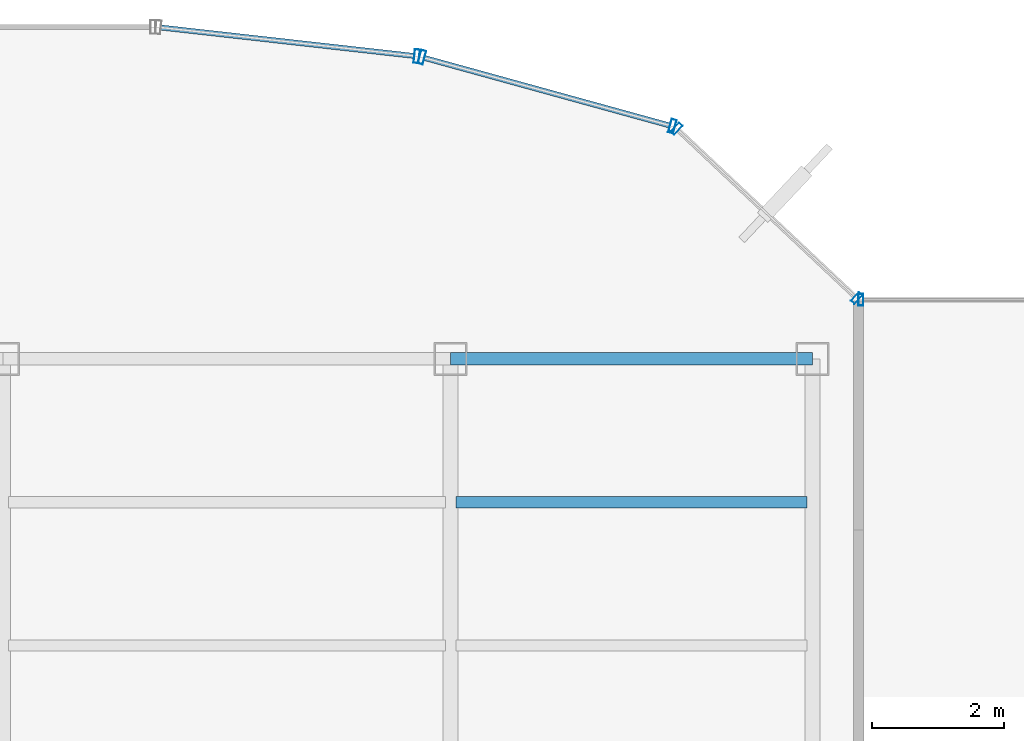
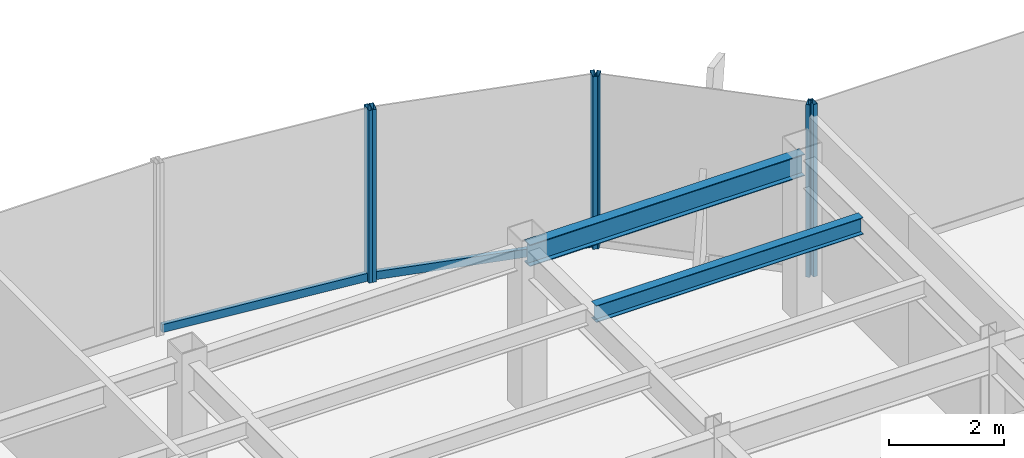
# One storey, part 14 of 22: 8 members, 2 beams, 4 elements without a shape of their own.
"""IFC4 building model written with IfcOpenShell, lengths in metres."""

from ifc_helpers import new_model, si_unit, derived_unit, direction, frame, origin, origin_2d, place, context, subcontext, project, spatial, hollow_rectangle, i_section, extrude, source, transform, mapped, material, material_profile, profile_set, type_object, element, aggregate, save


model = new_model("IFC4")

# Units and contexts
model_context = context("Model", 3, precision=1e-05, world=origin(), true_north=direction((0.0, 1.0)))
body_context = subcontext(model_context, "Body", "Model", "MODEL_VIEW")
ifc_project = project(units=[si_unit("LENGTHUNIT", "METRE"), si_unit("AREAUNIT", "SQUARE_METRE"), si_unit("VOLUMEUNIT", "CUBIC_METRE"), si_unit("PLANEANGLEUNIT", "RADIAN"), si_unit("MASSUNIT", "GRAM", prefix="KILO"), derived_unit("THERMALTRANSMITTANCEUNIT", [(si_unit("POWERUNIT", "WATT"), 1), (si_unit("LENGTHUNIT", "METRE"), -2), (si_unit("THERMODYNAMICTEMPERATUREUNIT", "KELVIN"), -1)])], contexts=[model_context])

# Site, building, storey
site_placement = place(None, origin())
site = spatial("IfcSite", under=ifc_project, at=site_placement, CompositionType="ELEMENT")
building_placement = place(site_placement, origin())
building = spatial("IfcBuilding", under=site, at=building_placement, Name="Skarnbrae Concourse Arena and Tower", CompositionType="ELEMENT")
storey_placement = place(building_placement, frame((0.0, 0.0, 210.5)))
storey = spatial("IfcBuildingStorey", under=building, at=storey_placement, Name="L54", CompositionType="ELEMENT", Elevation=210.5)

# Beams
ifc_material_1 = material(Name="Steel CSA G40.21 350W", Category="steel")
ifc_material_profile_1 = material_profile(ifc_material_1, i_section(OverallWidth=0.19091796875, OverallDepth=0.4599609375, WebThickness=0.010009765625, FlangeThickness=0.01611328125, at=origin_2d()), Name="W460X82")
ifc_profile_set_1 = profile_set([ifc_material_profile_1], Name="Steel CSA G40.21 350W")
beam_type_1 = type_object("IfcBeamType", Name="BM-SPAN-W460X82", PredefinedType="SPANDREL", material=ifc_profile_set_1)
shared_shape_1 = source(origin(), body_context, "Body", "SweptSolid", [
    extrude(i_section(OverallWidth=0.19091796875, OverallDepth=0.4599609375, WebThickness=0.010009765625, FlangeThickness=0.01611328125, at=origin_2d()), origin(), (0.0, 0.0, 1.0), 5.5),
])
beam_1_placement = place(storey_placement, frame((28.0, 34.39990234375, 3.169921875), z_axis=(1.0, 0.0, 0.0), x_axis=(0.0, 1.0, 0.0)))
element("IfcBeam", 1, at=beam_1_placement, inside=storey, type_object=beam_type_1, Name="L54 Perimeter spandrel Y34.4-4", PredefinedType="SPANDREL", context=body_context, shape_type="MappedRepresentation", body=[
    mapped(shared_shape_1, transform((0.0, 0.0, 0.0))),
])
ifc_material_profile_2 = material_profile(ifc_material_1, i_section(OverallWidth=0.1708984375, OverallDepth=0.35498046875, WebThickness=0.007080078125, FlangeThickness=0.01171875, at=origin_2d()), Name="W360X51")
ifc_profile_set_2 = profile_set([ifc_material_profile_2], Name="Steel CSA G40.21 350W")
beam_type_2 = type_object("IfcBeamType", Name="BM-JOIST-W360X51", PredefinedType="JOIST", material=ifc_profile_set_2)
shared_shape_2 = source(origin(), body_context, "Body", "SweptSolid", [
    extrude(i_section(OverallWidth=0.1708984375, OverallDepth=0.35498046875, WebThickness=0.007080078125, FlangeThickness=0.01171875, at=origin_2d()), origin(), (0.0, 0.0, 1.0), 5.33984375),
])
beam_2_placement = place(storey_placement, frame((28.080078125, 32.221923828125, 3.222412109375), z_axis=(1.0, 0.0, 0.0), x_axis=(0.0, 1.0, 0.0)))
element("IfcBeam", 2, at=beam_2_placement, inside=storey, type_object=beam_type_2, Name="L54 Secondary floor joist 3.2.4", PredefinedType="JOIST", context=body_context, shape_type="MappedRepresentation", body=[
    mapped(shared_shape_2, transform((0.0, 0.0, 0.0))),
])

# Curtain wall, members
ifc_material_2 = material(Name="Bronze anodised aluminium 6063-T6", Category="aluminium")
curtain_wall_type_1 = type_object("IfcCurtainWallType", Name="CW-SYS-03-PORTAL", PredefinedType="USERDEFINED", material=ifc_material_2)
curtain_wall_1_placement = place(storey_placement, origin())
curtain_wall_1 = element("IfcCurtainWall", 3, at=curtain_wall_1_placement, inside=storey, type_object=curtain_wall_type_1, Name="L54 Unitised curtain wall CW-L54-E09", ObjectType="UNITISED CURTAIN WALL", PredefinedType="USERDEFINED")
ifc_material_profile_3 = material_profile(ifc_material_2, hollow_rectangle(XDim=0.080078125, YDim=0.2099609375, WallThickness=0.00439453125, at=origin_2d()), Name="ALU-MULL-80X210")
ifc_profile_set_3 = profile_set([ifc_material_profile_3], Name="Bronze anodised aluminium 6063-T6")
member_type_1 = type_object("IfcMemberType", Name="CWM-CW-03", PredefinedType="MULLION", material=ifc_profile_set_3)
shared_shape_3 = source(origin(), body_context, "Body", "SweptSolid", [
    extrude(hollow_rectangle(XDim=0.080078125, YDim=0.2099609375, WallThickness=0.00439453125, at=origin_2d()), origin(), (0.0, 0.0, 1.0), 3.64990234375),
])
member_1_placement = place(storey_placement, frame((31.37109375, 37.937255859375, 0.0), z_axis=(0.0, 0.0, 1.0), x_axis=(-0.964057388766, 0.265694093207, 0.0)))
member_1 = element("IfcMember", 4, at=member_1_placement, type_object=member_type_1, Name="CW-L54-E09 Mullion 1", PredefinedType="MULLION", context=body_context, shape_type="MappedRepresentation", body=[
    mapped(shared_shape_3, transform((0.0, 0.0, 0.0))),
])
member_2_placement = place(storey_placement, frame((27.564453125, 38.986572265625, 0.0), z_axis=(0.0, 0.0, 1.0), x_axis=(-0.964057388766, 0.265694093207, 0.0)))
member_2 = element("IfcMember", 5, at=member_2_placement, type_object=member_type_1, Name="CW-L54-E09 Mullion 2", PredefinedType="MULLION", context=body_context, shape_type="MappedRepresentation", body=[
    mapped(shared_shape_3, transform((0.0, 0.0, 0.0))),
])

# Curtain wall, member
curtain_wall_2_placement = place(storey_placement, origin())
curtain_wall_2 = element("IfcCurtainWall", 6, at=curtain_wall_2_placement, inside=storey, type_object=curtain_wall_type_1, Name="L54 Unitised curtain wall CW-L54-E10", ObjectType="UNITISED CURTAIN WALL", PredefinedType="USERDEFINED")
member_3_placement = place(storey_placement, frame((27.486083984375, 39.001708984375, 0.0), z_axis=(0.0, 0.0, 1.0), x_axis=(-0.993768891873, 0.111460259941, 0.0)))
member_3 = element("IfcMember", 7, at=member_3_placement, type_object=member_type_1, Name="CW-L54-E10 Mullion 1", PredefinedType="MULLION", context=body_context, shape_type="MappedRepresentation", body=[
    mapped(shared_shape_3, transform((0.0, 0.0, 0.0))),
])

curtain_wall_type_2 = type_object("IfcCurtainWallType", Name="CW-SYS-05-HIGHZONE", PredefinedType="USERDEFINED", material=ifc_material_2)
curtain_wall_3_placement = place(storey_placement, origin())
curtain_wall_3 = element("IfcCurtainWall", 8, at=curtain_wall_3_placement, inside=storey, type_object=curtain_wall_type_2, Name="L54 Unitised curtain wall CW-L54-E07", ObjectType="UNITISED CURTAIN WALL", PredefinedType="USERDEFINED")
ifc_material_profile_4 = material_profile(ifc_material_2, hollow_rectangle(XDim=0.074951171875, YDim=0.179931640625, WallThickness=0.00390625, at=origin_2d()), Name="ALU-MULL-75X180")
ifc_profile_set_4 = profile_set([ifc_material_profile_4], Name="Bronze anodised aluminium 6063-T6")
member_type_2 = type_object("IfcMemberType", Name="CWM-CW-05", PredefinedType="MULLION", material=ifc_profile_set_4)
shared_shape_4 = source(origin(), body_context, "Body", "SweptSolid", [
    extrude(hollow_rectangle(XDim=0.074951171875, YDim=0.179931640625, WallThickness=0.00390625, at=origin_2d()), origin(), (0.0, 0.0, 1.0), 3.64990234375),
])
member_4_placement = place(storey_placement, frame((34.237548828125, 35.300048828125, 0.0), z_axis=(0.0, 0.0, 1.0), x_axis=(-1.0, 0.0, 0.0)))
member_4 = element("IfcMember", 9, at=member_4_placement, type_object=member_type_2, Name="CW-L54-E07 Mullion 2", PredefinedType="MULLION", context=body_context, shape_type="MappedRepresentation", body=[
    mapped(shared_shape_4, transform((0.0, 0.0, 0.0))),
])
aggregate(curtain_wall_3, [member_4])

# Curtain wall, members
curtain_wall_4_placement = place(storey_placement, origin())
curtain_wall_4 = element("IfcCurtainWall", 10, at=curtain_wall_4_placement, inside=storey, type_object=curtain_wall_type_2, Name="L54 Unitised curtain wall CW-L54-E08", ObjectType="UNITISED CURTAIN WALL", PredefinedType="USERDEFINED")
member_5_placement = place(storey_placement, frame((34.172607421875, 35.32568359375, 0.0), z_axis=(0.0, 0.0, 1.0), x_axis=(-0.728130555214, 0.685438468838, 0.0)))
member_5 = element("IfcMember", 11, at=member_5_placement, type_object=member_type_2, Name="CW-L54-E08 Mullion 1", PredefinedType="MULLION", context=body_context, shape_type="MappedRepresentation", body=[
    mapped(shared_shape_4, transform((0.0, 0.0, 0.0))),
])
member_6_placement = place(storey_placement, frame((31.43701171875, 37.90087890625, 0.0), z_axis=(0.0, 0.0, 1.0), x_axis=(-0.728130555214, 0.685438468838, 0.0)))
member_6 = element("IfcMember", 12, at=member_6_placement, type_object=member_type_2, Name="CW-L54-E08 Mullion 2", PredefinedType="MULLION", context=body_context, shape_type="MappedRepresentation", body=[
    mapped(shared_shape_4, transform((0.0, 0.0, 0.0))),
])
aggregate(curtain_wall_4, [member_5, member_6])

# Member
ifc_material_profile_5 = material_profile(ifc_material_2, hollow_rectangle(XDim=0.080078125, YDim=0.169921875, WallThickness=0.00439453125, at=origin_2d()), Name="ALU-TRAN-80X170")
ifc_profile_set_5 = profile_set([ifc_material_profile_5], Name="Bronze anodised aluminium 6063-T6")
member_type_3 = type_object("IfcMemberType", Name="CWT-CW-03", PredefinedType="USERDEFINED", material=ifc_profile_set_5)
shared_shape_5 = source(origin(), body_context, "Body", "SweptSolid", [
    extrude(hollow_rectangle(XDim=0.080078125, YDim=0.169921875, WallThickness=0.00439453125, at=origin_2d()), origin(), (0.0, 0.0, 1.0), 3.86865234375),
])
member_7_placement = place(storey_placement, frame((31.33251953125, 37.947998046875, 0.0849609375), z_axis=(-0.964062872218, 0.265674195983, 0.0), x_axis=(-0.265674195983, -0.964062872218, 0.0)))
member_7 = element("IfcMember", 13, at=member_7_placement, type_object=member_type_3, Name="CW-L54-E09 Transom 1", ObjectType="TRANSOM", PredefinedType="USERDEFINED", context=body_context, shape_type="MappedRepresentation", body=[
    mapped(shared_shape_5, transform((0.0, 0.0, 0.0))),
])

aggregate(curtain_wall_1, [member_1, member_2, member_7])

shared_shape_6 = source(origin(), body_context, "Body", "SweptSolid", [
    extrude(hollow_rectangle(XDim=0.080078125, YDim=0.169921875, WallThickness=0.00439453125, at=origin_2d()), origin(), (0.0, 0.0, 1.0), 3.873779296875),
])
member_8_placement = place(storey_placement, frame((27.4462890625, 39.006103515625, 0.0849609375), z_axis=(-0.993772558096, 0.111427567397, 0.0), x_axis=(-0.111427567397, -0.993772558096, 0.0)))
member_8 = element("IfcMember", 14, at=member_8_placement, type_object=member_type_3, Name="CW-L54-E10 Transom 1", ObjectType="TRANSOM", PredefinedType="USERDEFINED", context=body_context, shape_type="MappedRepresentation", body=[
    mapped(shared_shape_6, transform((0.0, 0.0, 0.0))),
])

aggregate(curtain_wall_2, [member_3, member_8])

save(model, "model.ifc")
